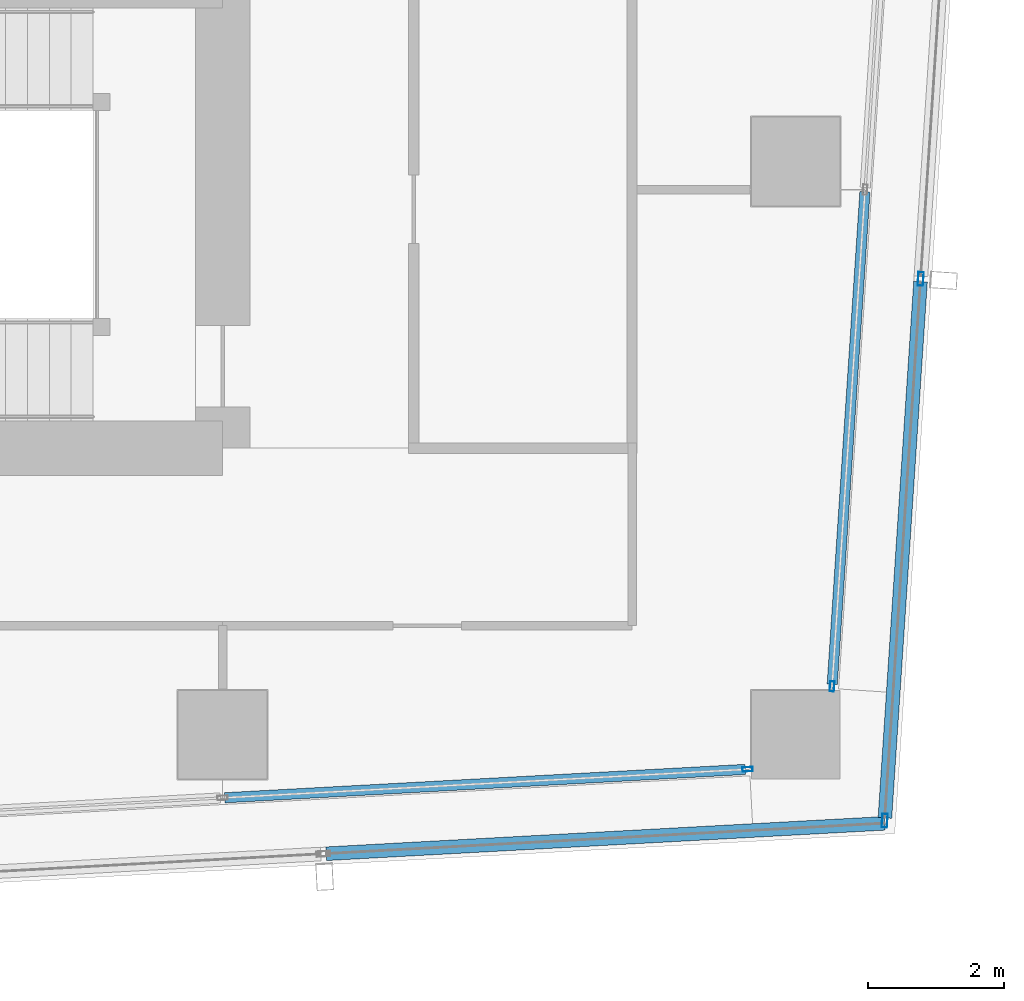
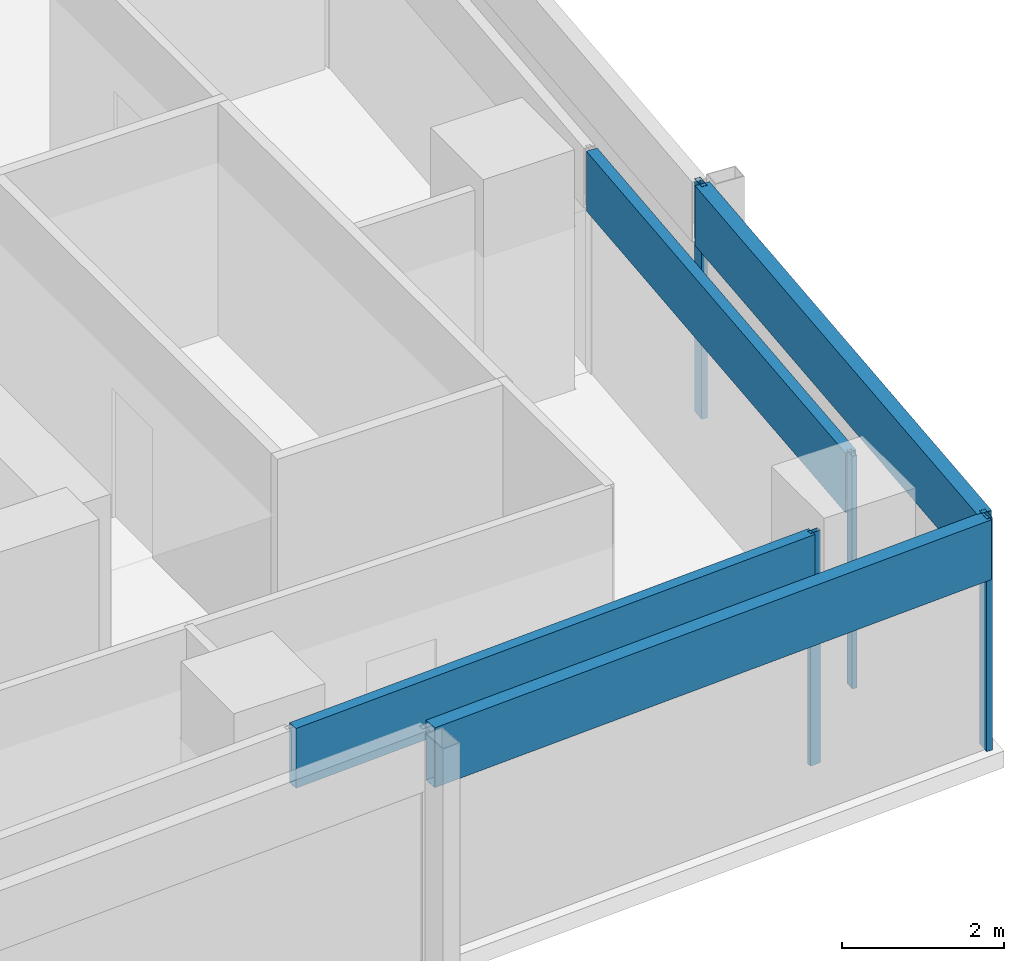
# One storey, part 9 of 28: 8 members, 4 elements without a shape of their own.
"""IFC4 building model written with IfcOpenShell, lengths in metres."""

from ifc_helpers import new_model, si_unit, direction, frame, origin, origin_2d, place, context, subcontext, project, spatial, hollow_rectangle, extrude, material, material_profile, profile_set, type_object, element, aggregate, save


model = new_model("IFC4")

# Units and contexts
model_context = context("Model", 3, precision=1e-05, world=origin(), true_north=direction((0.0, 1.0)))
body_context = subcontext(model_context, "Body", "Model", "MODEL_VIEW")
ifc_project = project(units=[si_unit("LENGTHUNIT", "METRE"), si_unit("AREAUNIT", "SQUARE_METRE"), si_unit("VOLUMEUNIT", "CUBIC_METRE"), si_unit("PLANEANGLEUNIT", "RADIAN"), si_unit("MASSUNIT", "GRAM", prefix="KILO")], contexts=[model_context])

# Site, building, storey
site_placement = place(None, origin())
site = spatial("IfcSite", under=ifc_project, at=site_placement, CompositionType="ELEMENT")
building_placement = place(site_placement, origin())
building = spatial("IfcBuilding", under=site, at=building_placement, Name="Rekha Terrace Tower", CompositionType="ELEMENT")
storey_placement = place(building_placement, frame((0.0, 0.0, 268.85009765625)))
storey = spatial("IfcBuildingStorey", under=building, at=storey_placement, Name="L68", CompositionType="ELEMENT", Elevation=268.85009765625)

# Curtain wall, member
ifc_material_1 = material(Name="Aluminium framing", Category="aluminium")
curtain_wall_type_1 = type_object("IfcCurtainWallType", Name="CW1 double skin inner glazing", PredefinedType="USERDEFINED", material=ifc_material_1)
curtain_wall_1_placement = place(storey_placement, origin())
curtain_wall_1 = element("IfcCurtainWall", 1, at=curtain_wall_1_placement, inside=storey, type_object=curtain_wall_type_1, Name="CW1 double skin inner glazing", ObjectType="DOUBLE SKIN INNER GLAZING", PredefinedType="USERDEFINED")
ifc_material_2 = material(Name="Aluminium mullion section", Category="aluminium")
ifc_material_profile_1 = material_profile(ifc_material_2, hollow_rectangle(XDim=0.06494140625, YDim=0.14990234375, WallThickness=0.00390625, at=origin_2d()), Name="AL RHS 65x150")
ifc_profile_set_1 = profile_set([ifc_material_profile_1], Name="Aluminium mullion section")
member_type_1 = type_object("IfcMemberType", Name="CW1 mullion RHS 65 x 150", PredefinedType="MULLION", material=ifc_profile_set_1)
member_1_placement = place(storey_placement, frame((58.092529296875, 16.2939453125, 0.0), z_axis=(0.0, 0.0, 1.0), x_axis=(-0.054388903036, 0.998519828159, 0.0)))
member_1 = element("IfcMember", 2, at=member_1_placement, type_object=member_type_1, Name="CW1 mullion 5", PredefinedType="MULLION", context=body_context, shape_type="SweptSolid", body=[
    extrude(hollow_rectangle(XDim=0.06494140625, YDim=0.14990234375, WallThickness=0.00390625, at=origin_2d()), origin(), (0.0, 0.0, 1.0), 3.5),
])

curtain_wall_2_placement = place(storey_placement, origin())
curtain_wall_2 = element("IfcCurtainWall", 3, at=curtain_wall_2_placement, inside=storey, type_object=curtain_wall_type_1, Name="CW1 double skin inner glazing", ObjectType="DOUBLE SKIN INNER GLAZING", PredefinedType="USERDEFINED")
member_2_placement = place(storey_placement, frame((59.3310546875, 17.5087890625, 0.0), z_axis=(0.0, 0.0, 1.0), x_axis=(-0.997801621769, 0.066271589649, 0.0)))
member_2 = element("IfcMember", 4, at=member_2_placement, type_object=member_type_1, Name="CW1 mullion 1", PredefinedType="MULLION", context=body_context, shape_type="SweptSolid", body=[
    extrude(hollow_rectangle(XDim=0.06494140625, YDim=0.14990234375, WallThickness=0.00390625, at=origin_2d()), origin(), (0.0, 0.0, 1.0), 3.5),
])

# Member
ifc_material_3 = material(Name="Insulated aluminium spandrel box", Category="aluminium")
ifc_material_profile_2 = material_profile(ifc_material_3, hollow_rectangle(XDim=0.14990234375, YDim=0.89990234375, WallThickness=0.0029296875, at=origin_2d()), Name="AL SPANDREL BOX 150x900")
ifc_profile_set_2 = profile_set([ifc_material_profile_2], Name="Insulated aluminium spandrel box")
member_type_2 = type_object("IfcMemberType", Name="CW1 spandrel transom 150 x 900", PredefinedType="USERDEFINED", material=ifc_profile_set_2)
member_3_placement = place(storey_placement, frame((50.431640625, 15.876708984375, 3.0498046875), z_axis=(0.998519749799, 0.054390341617, 0.0), x_axis=(-0.054390341617, 0.998519749799, 0.0)))
member_3 = element("IfcMember", 5, at=member_3_placement, type_object=member_type_2, Name="CW1 spandrel transom 4", ObjectType="TRANSOM", PredefinedType="USERDEFINED", context=body_context, shape_type="SweptSolid", body=[
    extrude(hollow_rectangle(XDim=0.14990234375, YDim=0.89990234375, WallThickness=0.0029296875, at=origin_2d()), origin(), (0.0, 0.0, 1.0), 7.6396484375),
])

aggregate(curtain_wall_1, [member_1, member_3])

member_4_placement = place(storey_placement, frame((59.333251953125, 17.541015625, 3.0498046875), z_axis=(0.066261233081, 0.997802309574, 0.0), x_axis=(-0.997802309574, 0.066261233081, 0.0)))
member_4 = element("IfcMember", 6, at=member_4_placement, type_object=member_type_2, Name="CW1 spandrel transom 1", ObjectType="TRANSOM", PredefinedType="USERDEFINED", context=body_context, shape_type="SweptSolid", body=[
    extrude(hollow_rectangle(XDim=0.14990234375, YDim=0.89990234375, WallThickness=0.0029296875, at=origin_2d()), origin(), (0.0, 0.0, 1.0), 7.22900390625),
])

aggregate(curtain_wall_2, [member_2, member_4])

# Curtain wall, members
curtain_wall_type_2 = type_object("IfcCurtainWallType", Name="CW2 double skin outer glazing", PredefinedType="USERDEFINED", material=ifc_material_1)
curtain_wall_3_placement = place(storey_placement, origin())
curtain_wall_3 = element("IfcCurtainWall", 7, at=curtain_wall_3_placement, inside=storey, type_object=curtain_wall_type_2, Name="CW2 double skin outer glazing", ObjectType="DOUBLE SKIN OUTER GLAZING", PredefinedType="USERDEFINED")
ifc_material_profile_3 = material_profile(ifc_material_2, hollow_rectangle(XDim=0.080078125, YDim=0.199951171875, WallThickness=0.00390625, at=origin_2d()), Name="AL RHS 80x200")
ifc_profile_set_3 = profile_set([ifc_material_profile_3], Name="Aluminium mullion section")
member_type_3 = type_object("IfcMemberType", Name="CW2 mullion RHS 80 x 200", PredefinedType="MULLION", material=ifc_profile_set_3)
member_5_placement = place(storey_placement, frame((60.102294921875, 15.5419921875, 0.0), z_axis=(0.0, 0.0, 1.0), x_axis=(-0.997801621769, 0.066271589649, 0.0)))
member_5 = element("IfcMember", 8, at=member_5_placement, type_object=member_type_3, Name="CW2 mullion 1", PredefinedType="MULLION", context=body_context, shape_type="SweptSolid", body=[
    extrude(hollow_rectangle(XDim=0.080078125, YDim=0.199951171875, WallThickness=0.00390625, at=origin_2d()), origin(), (0.0, 0.0, 1.0), 3.5),
])
member_6_placement = place(storey_placement, frame((60.629638671875, 23.479736328125, 0.0), z_axis=(0.0, 0.0, 1.0), x_axis=(-0.997801621769, 0.066271589649, 0.0)))
member_6 = element("IfcMember", 9, at=member_6_placement, type_object=member_type_3, Name="CW2 mullion 2", PredefinedType="MULLION", context=body_context, shape_type="SweptSolid", body=[
    extrude(hollow_rectangle(XDim=0.080078125, YDim=0.199951171875, WallThickness=0.00390625, at=origin_2d()), origin(), (0.0, 0.0, 1.0), 3.5),
])

# Curtain wall, member
curtain_wall_4_placement = place(storey_placement, origin())
curtain_wall_4 = element("IfcCurtainWall", 10, at=curtain_wall_4_placement, inside=storey, type_object=curtain_wall_type_2, Name="CW2 double skin outer glazing", ObjectType="DOUBLE SKIN OUTER GLAZING", PredefinedType="USERDEFINED")
ifc_material_profile_4 = material_profile(ifc_material_3, hollow_rectangle(XDim=0.199951171875, YDim=0.89990234375, WallThickness=0.0029296875, at=origin_2d()), Name="AL SPANDREL BOX 200x900")
ifc_profile_set_4 = profile_set([ifc_material_profile_4], Name="Insulated aluminium spandrel box")
member_type_4 = type_object("IfcMemberType", Name="CW2 spandrel transom 200 x 900", PredefinedType="USERDEFINED", material=ifc_profile_set_4)
member_7_placement = place(storey_placement, frame((51.91650390625, 15.056396484375, 3.0498046875), z_axis=(0.998521064062, 0.054366208476, 0.0), x_axis=(-0.054366208476, 0.998521064062, 0.0)))
member_7 = element("IfcMember", 11, at=member_7_placement, type_object=member_type_4, Name="CW2 spandrel transom 4", ObjectType="TRANSOM", PredefinedType="USERDEFINED", context=body_context, shape_type="SweptSolid", body=[
    extrude(hollow_rectangle(XDim=0.199951171875, YDim=0.89990234375, WallThickness=0.0029296875, at=origin_2d()), origin(), (0.0, 0.0, 1.0), 8.195556640625),
])
aggregate(curtain_wall_4, [member_7])

# Member
member_8_placement = place(storey_placement, frame((60.10498046875, 15.581787109375, 3.0498046875), z_axis=(0.066280327672, 0.997801041372, 0.0), x_axis=(-0.997801041372, 0.066280327672, 0.0)))
member_8 = element("IfcMember", 12, at=member_8_placement, type_object=member_type_4, Name="CW2 spandrel transom 1", ObjectType="TRANSOM", PredefinedType="USERDEFINED", context=body_context, shape_type="SweptSolid", body=[
    extrude(hollow_rectangle(XDim=0.199951171875, YDim=0.89990234375, WallThickness=0.0029296875, at=origin_2d()), origin(), (0.0, 0.0, 1.0), 7.875244140625),
])

aggregate(curtain_wall_3, [member_5, member_6, member_8])

save(model, "model.ifc")
